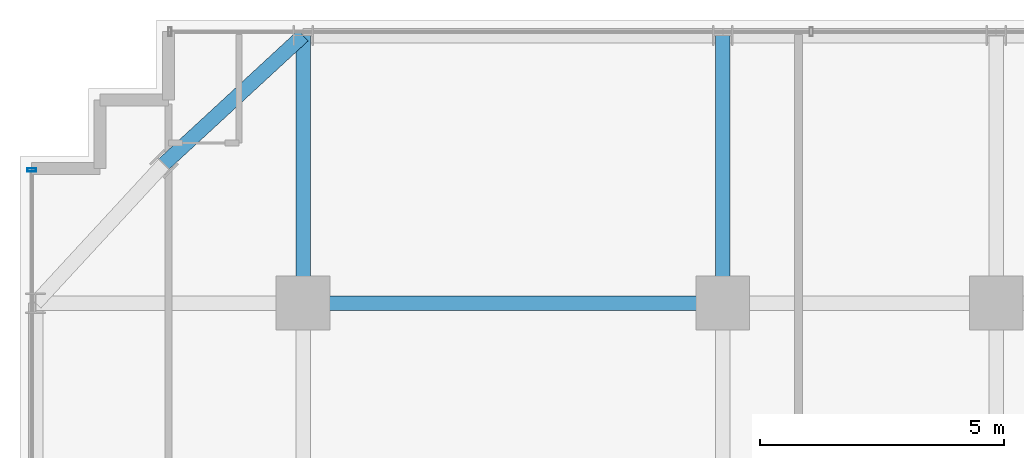
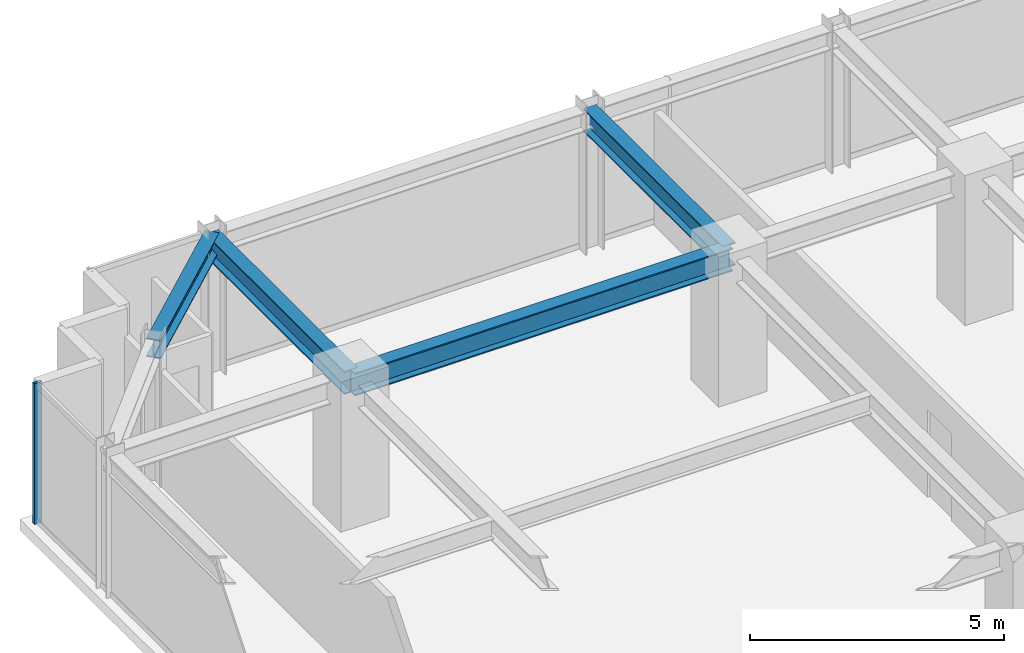
# One storey, part 15 of 31: 4 beams, 1 member, 1 element without a shape of its own.
"""IFC4 building model written with IfcOpenShell, lengths in metres."""

from ifc_helpers import new_model, si_unit, direction, frame, origin, origin_2d, place, context, subcontext, project, spatial, hollow_rectangle, i_section, extrude, source, transform, mapped, material, material_profile, profile_set, type_object, element, aggregate, save


model = new_model("IFC4")

# Units and contexts
model_context = context("Model", 3, precision=1e-05, world=origin(), true_north=direction((0.0, 1.0)))
body_context = subcontext(model_context, "Body", "Model", "MODEL_VIEW")
ifc_project = project(units=[si_unit("LENGTHUNIT", "METRE"), si_unit("AREAUNIT", "SQUARE_METRE"), si_unit("VOLUMEUNIT", "CUBIC_METRE"), si_unit("PLANEANGLEUNIT", "RADIAN"), si_unit("MASSUNIT", "GRAM", prefix="KILO")], contexts=[model_context])

# Site, building, storey
site_placement = place(None, origin())
site = spatial("IfcSite", under=ifc_project, at=site_placement, CompositionType="ELEMENT")
building_placement = place(site_placement, origin())
building = spatial("IfcBuilding", under=site, at=building_placement, Name="Nahalor Promenade Grand Hotel", CompositionType="ELEMENT")
storey_placement = place(building_placement, frame((0.0, 0.0, 192.800048828125)))
storey = spatial("IfcBuildingStorey", under=building, at=storey_placement, Name="L49", CompositionType="ELEMENT", Elevation=192.800048828125)

# Beams
ifc_material_1 = material(Name="Steel S355JR", Category="steel")
ifc_material_profile_1 = material_profile(ifc_material_1, i_section(OverallWidth=0.3, OverallDepth=0.55, WebThickness=0.015, FlangeThickness=0.029, at=origin_2d()), Name="HEB 550")
ifc_profile_set_1 = profile_set([ifc_material_profile_1], Name="Steel S355JR")
beam_type_1 = type_object("IfcBeamType", Name="Beam-Girder-HEB550", PredefinedType="BEAM", material=ifc_profile_set_1)
shared_shape_1 = source(origin(), body_context, "Body", "SweptSolid", [
    extrude(i_section(OverallWidth=0.3, OverallDepth=0.55, WebThickness=0.015, FlangeThickness=0.029, at=origin_2d()), origin(), (0.0, 0.0, 1.0), 8.60009765625),
])
beam_1_placement = place(storey_placement, frame((-17.0, 17.0, 3.114990234375), z_axis=(1.0, 0.0, 0.0), x_axis=(0.0, 1.0, 0.0)))
element("IfcBeam", 1, at=beam_1_placement, inside=storey, type_object=beam_type_1, Name="BM-L49-GX-3-1", PredefinedType="BEAM", context=body_context, shape_type="MappedRepresentation", body=[
    mapped(shared_shape_1, transform((0.0, 0.0, 0.0), scale=1.0)),
])
shared_shape_2 = source(origin(), body_context, "Body", "SweptSolid", [
    extrude(i_section(OverallWidth=0.3, OverallDepth=0.55, WebThickness=0.015, FlangeThickness=0.029, at=origin_2d()), origin(), (0.0, 0.0, 1.0), 5.47998046875),
])
for number, where, z_axis, x_axis, name in (
    (2, (-17.0, 17.0, 3.114990234375), (0.0, 1.0, 0.0), (-1.0, 0.0, 0.0), "BM-L49-GY-0-4"),
    (3, (-8.39990234375, 17.0, 3.114990234375), (0.0, 1.0, 0.0), (-1.0, 0.0, 0.0), "BM-L49-GY-1-4"),
):
    element("IfcBeam", number, at=place(storey_placement, frame(where, z_axis=z_axis, x_axis=x_axis)), inside=storey, type_object=beam_type_1, Name=name, PredefinedType="BEAM", context=body_context, shape_type="MappedRepresentation", body=[
        mapped(shared_shape_2, transform((0.0, 0.0, 0.0), scale=1.0)),
    ])
ifc_material_profile_2 = material_profile(ifc_material_1, i_section(OverallWidth=0.3, OverallDepth=0.45, WebThickness=0.014, FlangeThickness=0.026, at=origin_2d()), Name="HEB 450")
ifc_profile_set_2 = profile_set([ifc_material_profile_2], Name="Steel S355JR")
beam_type_2 = type_object("IfcBeamType", Name="Beam-Spandrel-HEB450", PredefinedType="SPANDREL", material=ifc_profile_set_2)
shared_shape_3 = source(origin(), body_context, "Body", "SweptSolid", [
    extrude(i_section(OverallWidth=0.3, OverallDepth=0.45, WebThickness=0.014, FlangeThickness=0.026, at=origin_2d()), origin(), (0.0, 0.0, 1.0), 3.878173828125),
])
beam_2_placement = place(storey_placement, frame((-17.0, 22.47998046875, 3.1650390625), z_axis=(-0.73492893846, -0.678144125843, 0.0), x_axis=(0.678144125843, -0.73492893846, 0.0)))
element("IfcBeam", 4, at=beam_2_placement, inside=storey, type_object=beam_type_2, Name="BM-L49-SPC-NW-1", PredefinedType="SPANDREL", context=body_context, shape_type="MappedRepresentation", body=[
    mapped(shared_shape_3, transform((0.0, 0.0, 0.0), scale=1.0)),
])

# Curtain wall, member
ifc_material_2 = material(Name="Anodised Bronze Aluminium EN AW-6063 T6", Category="aluminium")
curtain_wall_type = type_object("IfcCurtainWallType", Name="CW2 Typical Hotel Flush Bronze Unitised Curtain Wall", PredefinedType="USERDEFINED", material=ifc_material_2)
curtain_wall_placement = place(storey_placement, origin())
curtain_wall = element("IfcCurtainWall", 5, at=curtain_wall_placement, inside=storey, type_object=curtain_wall_type, Name="L49 Curtain Wall CW-L49-W-1", ObjectType="UNITISED_CURTAIN_WALL", PredefinedType="USERDEFINED")
ifc_material_profile_3 = material_profile(ifc_material_2, hollow_rectangle(XDim=0.065, YDim=0.18, WallThickness=0.004, at=origin_2d()), Name="CWM 65x180x4")
ifc_profile_set_3 = profile_set([ifc_material_profile_3], Name="Anodised Bronze Aluminium EN AW-6063 T6")
member_type = type_object("IfcMemberType", Name="CWM2 Typical Bronze Mullion 65x180", PredefinedType="MULLION", material=ifc_profile_set_3)
shared_shape_4 = source(origin(), body_context, "Body", "SweptSolid", [
    extrude(hollow_rectangle(XDim=0.065, YDim=0.18, WallThickness=0.004, at=origin_2d()), origin(), (0.0, 0.0, 1.0), 3.389892578125),
])
member_placement = place(storey_placement, frame((-22.56005859375, 19.7275390625, 0.0), z_axis=(0.0, 0.0, 1.0), x_axis=(0.0, 1.0, 0.0)))
member = element("IfcMember", 6, at=member_placement, type_object=member_type, Name="CW-L49-W-1 Mullion 3", PredefinedType="MULLION", context=body_context, shape_type="MappedRepresentation", body=[
    mapped(shared_shape_4, transform((0.0, 0.0, 0.0), scale=1.0)),
])
aggregate(curtain_wall, [member])

save(model, "model.ifc")
